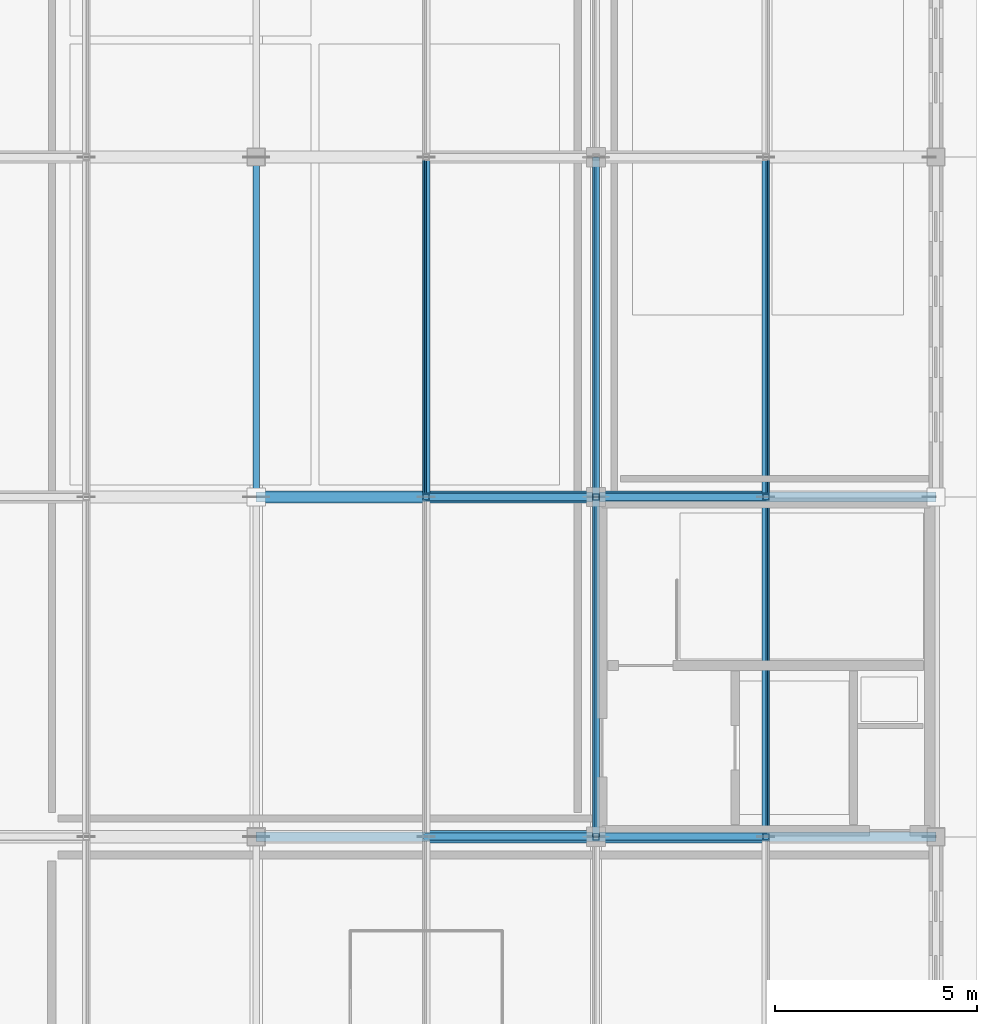
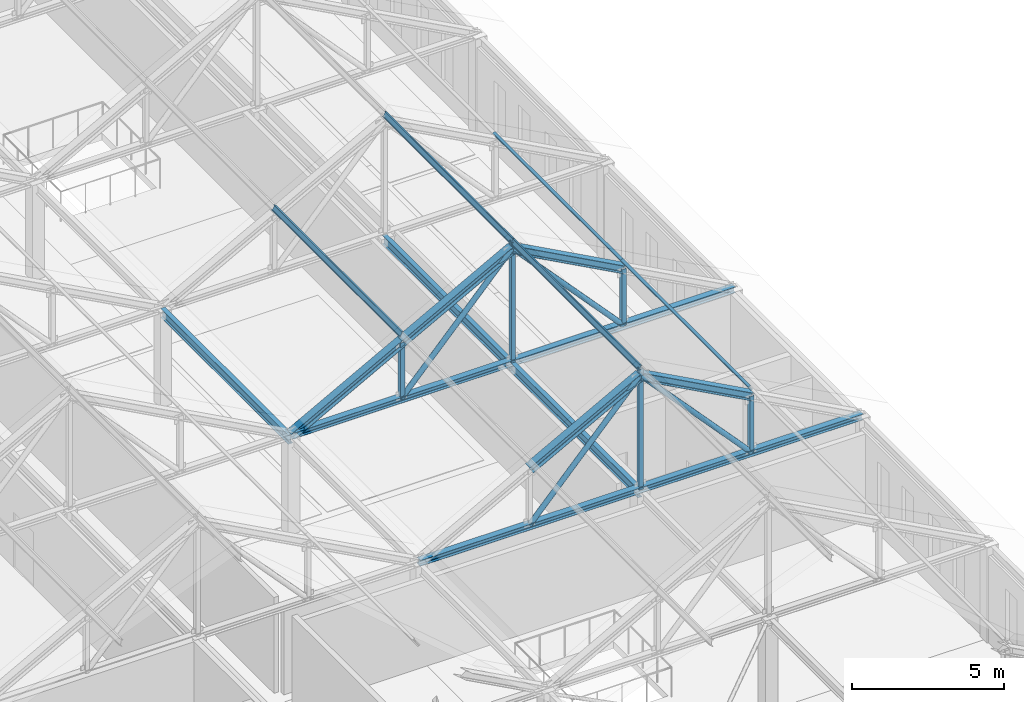
# One storey, part 5 of 36: 21 members, 3 beams.
"""IFC4 building model written with IfcOpenShell, lengths in metres."""

from ifc_helpers import new_model, si_unit, direction, frame, origin, origin_2d, place, context, subcontext, project, spatial, hollow_rectangle, hollow_circle, i_section, extrude, material, material_profile, profile_set, type_object, element, save


model = new_model("IFC4")

# Units and contexts
model_context = context("Model", 3, precision=1e-05, world=origin(), true_north=direction((0.0, 1.0)))
body_context = subcontext(model_context, "Body", "Model", "MODEL_VIEW")
ifc_project = project(units=[si_unit("LENGTHUNIT", "METRE"), si_unit("AREAUNIT", "SQUARE_METRE"), si_unit("VOLUMEUNIT", "CUBIC_METRE"), si_unit("PLANEANGLEUNIT", "RADIAN"), si_unit("MASSUNIT", "GRAM", prefix="KILO")], contexts=[model_context])

# Site, building, storey
site_placement = place(None, origin())
site = spatial("IfcSite", under=ifc_project, at=site_placement, CompositionType="ELEMENT")
building_placement = place(site_placement, origin())
building = spatial("IfcBuilding", under=site, at=building_placement, Name="Kveldsbrygga Polytechnic", CompositionType="ELEMENT")
storey_placement = place(building_placement, frame((0.0, 0.0, 26.179931640625)))
storey = spatial("IfcBuildingStorey", under=building, at=storey_placement, Name="L06", CompositionType="ELEMENT", Elevation=26.179931640625)

# Beams
ifc_material = material(Name="Steel S355", Category="steel")
ifc_material_profile_1 = material_profile(ifc_material, i_section(OverallWidth=0.169921875, OverallDepth=0.360107421875, WebThickness=0.008056640625, FlangeThickness=0.0126953125, FilletRadius=0.01806640625, at=origin_2d()), Name="IPE 360")
ifc_profile_set_1 = profile_set([ifc_material_profile_1], Name="Steel S355")
beam_type = type_object("IfcBeamType", Name="BM-STL-IPE360", PredefinedType="BEAM", material=ifc_profile_set_1)
for number, where, z_axis, x_axis, name in (
    (1, (142.800048828125, 42.0, 3.66015625), (0.0, 1.0, 0.0), (-1.0, 0.0, 0.0), "Attic Eaves Tie Beam BMY-L06-TOP-17-05"),
    (2, (151.199951171875, 33.60009765625, 3.66015625), (0.0, 1.0, 0.0), (-1.0, 0.0, 0.0), "Attic Eaves Tie Beam BMY-L06-TOP-18-04"),
    (3, (151.199951171875, 42.0, 3.66015625), (0.0, 1.0, 0.0), (-1.0, 0.0, 0.0), "Attic Eaves Tie Beam BMY-L06-TOP-18-05"),
):
    element("IfcBeam", number, at=place(storey_placement, frame(where, z_axis=z_axis, x_axis=x_axis)), inside=storey, type_object=beam_type, Name=name, PredefinedType="BEAM", context=body_context, shape_type="SweptSolid", body=[
        extrude(i_section(OverallWidth=0.169921875, OverallDepth=0.360107421875, WebThickness=0.008056640625, FlangeThickness=0.0126953125, FilletRadius=0.01806640625, at=origin_2d()), origin(), (0.0, 0.0, 1.0), 8.39990234375),
    ])

# Members
ifc_material_profile_2 = material_profile(ifc_material, i_section(OverallWidth=0.10009765625, OverallDepth=0.199951171875, WebThickness=0.005615234375, FlangeThickness=0.008544921875, FilletRadius=0.011962890625, at=origin_2d()), Name="IPE 200")
ifc_profile_set_2 = profile_set([ifc_material_profile_2], Name="Steel S355")
member_type_1 = type_object("IfcMemberType", Name="PRL-IPE200", PredefinedType="PURLIN", material=ifc_profile_set_2)
for number, where, z_axis, x_axis, name in (
    (4, (151.199951171875, 33.60009765625, 8.668701171875), (0.0, 1.0, 0.0), (-0.879292204483, 0.0, 0.476282709256), "Roof Purlin V4M2-PRL-3-2"),
    (5, (155.39990234375, 33.60009765625, 6.393798828125), (0.0, 1.0, 0.0), (-0.879292204483, 0.0, -0.476282709256), "Roof Purlin V4M2-PRL-3-3"),
    (6, (147.0, 42.0, 6.393798828125), (0.0, 1.0, 0.0), (-0.879292204483, 0.0, 0.476282709256), "Roof Purlin V4M2-PRL-4-1"),
    (7, (151.199951171875, 42.0, 8.668701171875), (0.0, 1.0, 0.0), (-0.879292204483, 0.0, 0.476282709256), "Roof Purlin V4M2-PRL-4-2"),
    (8, (155.39990234375, 42.0, 6.393798828125), (0.0, 1.0, 0.0), (-0.879292204483, 0.0, -0.476282709256), "Roof Purlin V4M2-PRL-4-3"),
):
    element("IfcMember", number, at=place(storey_placement, frame(where, z_axis=z_axis, x_axis=x_axis)), inside=storey, type_object=member_type_1, Name=name, PredefinedType="PURLIN", context=body_context, shape_type="SweptSolid", body=[
        extrude(i_section(OverallWidth=0.10009765625, OverallDepth=0.199951171875, WebThickness=0.005615234375, FlangeThickness=0.008544921875, FilletRadius=0.011962890625, at=origin_2d()), origin(), (0.0, 0.0, 1.0), 8.39990234375),
    ])
ifc_material_profile_3 = material_profile(ifc_material, i_section(OverallWidth=0.239990234375, OverallDepth=0.22998046875, WebThickness=0.007568359375, FlangeThickness=0.011962890625, FilletRadius=0.02099609375, at=origin_2d()), Name="HEA 240")
ifc_profile_set_3 = profile_set([ifc_material_profile_3], Name="Steel S355")
member_type_2 = type_object("IfcMemberType", Name="TR-BOT-HEA240", PredefinedType="CHORD", material=ifc_profile_set_3)
for number, where, z_axis, x_axis, name in (
    (9, (142.800048828125, 33.60009765625, 3.840087890625), (1.0, 0.0, 0.0), (0.0, 1.0, 0.0), "Truss Bottom Chord V4M2-T03-BC-1"),
    (10, (142.800048828125, 42.0, 3.840087890625), (1.0, 0.0, 0.0), (0.0, 1.0, 0.0), "Truss Bottom Chord V4M2-T04-BC-1"),
):
    element("IfcMember", number, at=place(storey_placement, frame(where, z_axis=z_axis, x_axis=x_axis)), inside=storey, type_object=member_type_2, Name=name, PredefinedType="CHORD", context=body_context, shape_type="SweptSolid", body=[
        extrude(i_section(OverallWidth=0.239990234375, OverallDepth=0.22998046875, WebThickness=0.007568359375, FlangeThickness=0.011962890625, FilletRadius=0.02099609375, at=origin_2d()), origin(), (0.0, 0.0, 1.0), 16.800048828125),
    ])
ifc_material_profile_4 = material_profile(ifc_material, hollow_circle(Radius=0.096923828125, WallThickness=0.010009765625, at=origin_2d()), Name="CHS 193.7x10.0")
ifc_profile_set_4 = profile_set([ifc_material_profile_4], Name="Steel S355")
member_type_3 = type_object("IfcMemberType", Name="TR-DIAG-CHS194", PredefinedType="BRACE", material=ifc_profile_set_4)
for number, where, z_axis, x_axis, name in (
    (11, (147.0, 33.60009765625, 3.840087890625), (0.678271914864, 0.0, 0.734811002576), (0.0, 1.0, 0.0), "Truss Diagonal V4M2-T03-DG-2"),
    (12, (151.199951171875, 33.60009765625, 8.39013671875), (0.678271914864, 0.0, -0.734811002576), (0.0, 1.0, 0.0), "Truss Diagonal V4M2-T03-DG-3"),
    (13, (147.0, 42.0, 3.840087890625), (0.678271914864, 0.0, 0.734811002576), (0.0, 1.0, 0.0), "Truss Diagonal V4M2-T04-DG-2"),
    (14, (151.199951171875, 42.0, 8.39013671875), (0.678271914864, 0.0, -0.734811002576), (0.0, 1.0, 0.0), "Truss Diagonal V4M2-T04-DG-3"),
):
    element("IfcMember", number, at=place(storey_placement, frame(where, z_axis=z_axis, x_axis=x_axis)), inside=storey, type_object=member_type_3, Name=name, PredefinedType="BRACE", context=body_context, shape_type="SweptSolid", body=[
        extrude(hollow_circle(Radius=0.096923828125, WallThickness=0.010009765625, at=origin_2d()), origin(), (0.0, 0.0, 1.0), 6.192138671875),
    ])
ifc_material_profile_5 = material_profile(ifc_material, hollow_rectangle(XDim=0.159912109375, YDim=0.159912109375, WallThickness=0.010009765625, at=origin_2d()), Name="SHS 160x160x10.0")
ifc_profile_set_5 = profile_set([ifc_material_profile_5], Name="Steel S355")
member_type_4 = type_object("IfcMemberType", Name="TR-POST-SHS160", PredefinedType="STRUT", material=ifc_profile_set_5)
member_1_placement = place(storey_placement, frame((151.199951171875, 33.60009765625, 3.840087890625), z_axis=(0.0, 0.0, 1.0), x_axis=(1.0, 0.0, 0.0)))
element("IfcMember", 15, at=member_1_placement, inside=storey, type_object=member_type_4, Name="Truss Vertical V4M2-T03-VT-2", PredefinedType="STRUT", context=body_context, shape_type="SweptSolid", body=[
    extrude(hollow_rectangle(XDim=0.159912109375, YDim=0.159912109375, WallThickness=0.010009765625, at=origin_2d()), origin(), (0.0, 0.0, 1.0), 4.82861328125),
])
for number, where, z_axis, x_axis, name in (
    (16, (155.39990234375, 33.60009765625, 3.840087890625), (0.0, 0.0, 1.0), (1.0, 0.0, 0.0), "Truss Vertical V4M2-T03-VT-3"),
    (17, (147.0, 42.0, 3.840087890625), (0.0, 0.0, 1.0), (1.0, 0.0, 0.0), "Truss Vertical V4M2-T04-VT-1"),
):
    element("IfcMember", number, at=place(storey_placement, frame(where, z_axis=z_axis, x_axis=x_axis)), inside=storey, type_object=member_type_4, Name=name, PredefinedType="STRUT", context=body_context, shape_type="SweptSolid", body=[
        extrude(hollow_rectangle(XDim=0.159912109375, YDim=0.159912109375, WallThickness=0.010009765625, at=origin_2d()), origin(), (0.0, 0.0, 1.0), 2.27490234375),
    ])
member_2_placement = place(storey_placement, frame((151.199951171875, 42.0, 3.840087890625), z_axis=(0.0, 0.0, 1.0), x_axis=(1.0, 0.0, 0.0)))
element("IfcMember", 18, at=member_2_placement, inside=storey, type_object=member_type_4, Name="Truss Vertical V4M2-T04-VT-2", PredefinedType="STRUT", context=body_context, shape_type="SweptSolid", body=[
    extrude(hollow_rectangle(XDim=0.159912109375, YDim=0.159912109375, WallThickness=0.010009765625, at=origin_2d()), origin(), (0.0, 0.0, 1.0), 4.82861328125),
])
member_3_placement = place(storey_placement, frame((155.39990234375, 42.0, 3.840087890625), z_axis=(0.0, 0.0, 1.0), x_axis=(1.0, 0.0, 0.0)))
element("IfcMember", 19, at=member_3_placement, inside=storey, type_object=member_type_4, Name="Truss Vertical V4M2-T04-VT-3", PredefinedType="STRUT", context=body_context, shape_type="SweptSolid", body=[
    extrude(hollow_rectangle(XDim=0.159912109375, YDim=0.159912109375, WallThickness=0.010009765625, at=origin_2d()), origin(), (0.0, 0.0, 1.0), 2.27490234375),
])
ifc_material_profile_6 = material_profile(ifc_material, i_section(OverallWidth=0.300048828125, OverallDepth=0.2900390625, WebThickness=0.008544921875, FlangeThickness=0.013916015625, FilletRadius=0.027099609375, at=origin_2d()), Name="HEA 300")
ifc_profile_set_6 = profile_set([ifc_material_profile_6], Name="Steel S355")
member_type_5 = type_object("IfcMemberType", Name="TR-TOP-HEA300", PredefinedType="CHORD", material=ifc_profile_set_6)
for number, where, z_axis, x_axis, name in (
    (20, (147.0, 33.60009765625, 6.114990234375), (0.879276804059, 0.0, 0.476311139744), (0.0, 1.0, 0.0), "Truss Top Chord V4M2-T03-TC-2"),
    (21, (151.199951171875, 33.60009765625, 8.39013671875), (0.879276804059, 0.0, -0.476311139744), (0.0, 1.0, 0.0), "Truss Top Chord V4M2-T03-TC-3"),
):
    element("IfcMember", number, at=place(storey_placement, frame(where, z_axis=z_axis, x_axis=x_axis)), inside=storey, type_object=member_type_5, Name=name, PredefinedType="CHORD", context=body_context, shape_type="SweptSolid", body=[
        extrude(i_section(OverallWidth=0.300048828125, OverallDepth=0.2900390625, WebThickness=0.008544921875, FlangeThickness=0.013916015625, FilletRadius=0.027099609375, at=origin_2d()), origin(), (0.0, 0.0, 1.0), 4.776611328125),
    ])
member_4_placement = place(storey_placement, frame((142.800048828125, 42.0, 3.840087890625), z_axis=(0.879298209803, 0.0, 0.47627162233), x_axis=(0.0, 1.0, 0.0)))
element("IfcMember", 22, at=member_4_placement, inside=storey, type_object=member_type_5, Name="Truss Top Chord V4M2-T04-TC-1", PredefinedType="CHORD", context=body_context, shape_type="SweptSolid", body=[
    extrude(i_section(OverallWidth=0.300048828125, OverallDepth=0.2900390625, WebThickness=0.008544921875, FlangeThickness=0.013916015625, FilletRadius=0.027099609375, at=origin_2d()), origin(), (0.0, 0.0, 1.0), 4.7763671875),
])
for number, where, z_axis, x_axis, name in (
    (23, (147.0, 42.0, 6.114990234375), (0.879276804059, 0.0, 0.476311139744), (0.0, 1.0, 0.0), "Truss Top Chord V4M2-T04-TC-2"),
    (24, (151.199951171875, 42.0, 8.39013671875), (0.879276804059, 0.0, -0.476311139744), (0.0, 1.0, 0.0), "Truss Top Chord V4M2-T04-TC-3"),
):
    element("IfcMember", number, at=place(storey_placement, frame(where, z_axis=z_axis, x_axis=x_axis)), inside=storey, type_object=member_type_5, Name=name, PredefinedType="CHORD", context=body_context, shape_type="SweptSolid", body=[
        extrude(i_section(OverallWidth=0.300048828125, OverallDepth=0.2900390625, WebThickness=0.008544921875, FlangeThickness=0.013916015625, FilletRadius=0.027099609375, at=origin_2d()), origin(), (0.0, 0.0, 1.0), 4.776611328125),
    ])

save(model, "model.ifc")
